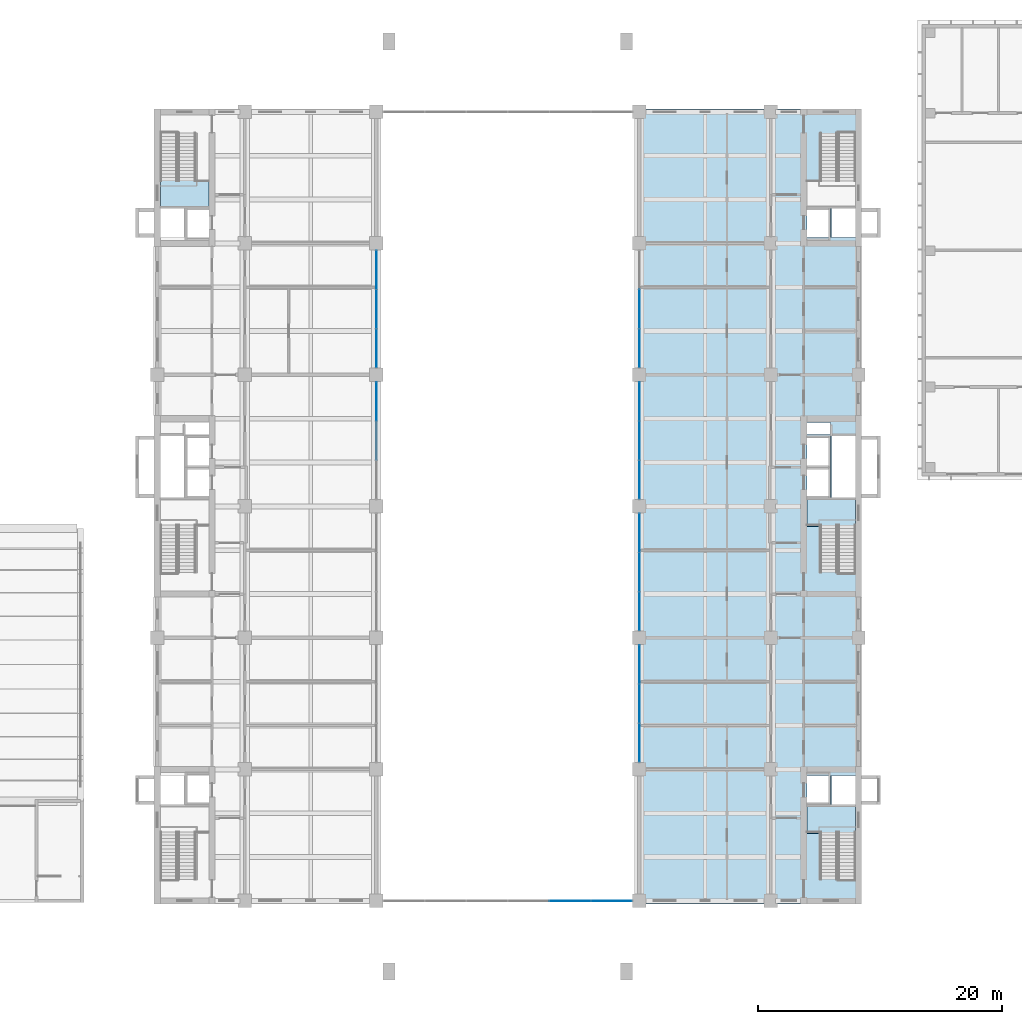
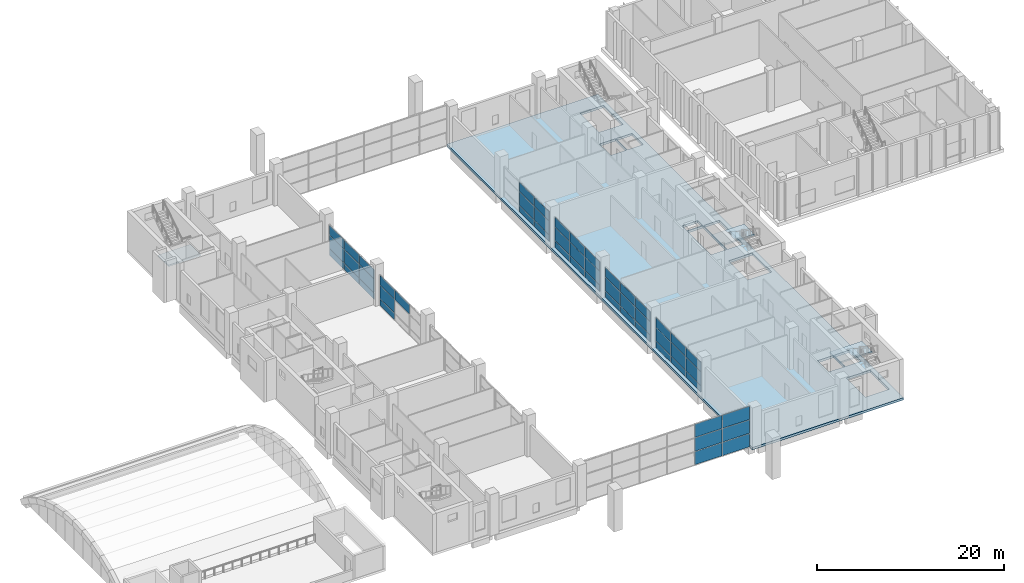
# One storey, part 14 of 32: 52 plates, 4 slabs, 10 elements without a shape of their own.
"""IFC4 building model written with IfcOpenShell, lengths in metres."""

from ifc_helpers import new_model, si_unit, direction, frame, origin, origin_2d, place, context, subcontext, project, spatial, polyline, rectangle, outline, extrude, material, layer, layer_set, type_object, element, aggregate, save


model = new_model("IFC4")

# Units and contexts
model_context = context("Model", 3, precision=1e-05, world=origin(), true_north=direction((0.0, 1.0)))
body_context = subcontext(model_context, "Body", "Model", "MODEL_VIEW")
ifc_project = project(units=[si_unit("LENGTHUNIT", "METRE"), si_unit("AREAUNIT", "SQUARE_METRE"), si_unit("VOLUMEUNIT", "CUBIC_METRE"), si_unit("PLANEANGLEUNIT", "RADIAN"), si_unit("MASSUNIT", "GRAM", prefix="KILO")], contexts=[model_context])

# Site, building, storey
site_placement = place(None, origin())
site = spatial("IfcSite", under=ifc_project, at=site_placement, CompositionType="ELEMENT")
building_placement = place(site_placement, origin())
building = spatial("IfcBuilding", under=site, at=building_placement, Name="Basin Gate Institute", CompositionType="ELEMENT")
storey_placement = place(building_placement, frame((0.0, 0.0, 11.39990234375)))
storey = spatial("IfcBuildingStorey", under=building, at=storey_placement, Name="L02", CompositionType="ELEMENT", Elevation=11.39990234375)

# Curtain wall, plates
ifc_material_1 = material(Name="Aluminium and glass curtain wall", Category="aluminium")
ifc_layer_1 = layer(ifc_material_1, 0.14990234375)
ifc_layer_set_1 = layer_set([ifc_layer_1], Name="Atrium curtain wall CW81")
curtain_wall_type_1 = type_object("IfcCurtainWallType", Name="Atrium curtain wall CW81", PredefinedType="NOTDEFINED", material=ifc_layer_set_1)
curtain_wall_1_placement = place(storey_placement, origin())
curtain_wall_1 = element("IfcCurtainWall", 1, at=curtain_wall_1_placement, inside=storey, type_object=curtain_wall_type_1, material=ifc_layer_set_1, Name="Atrium end screen S L02", PredefinedType="NOTDEFINED")
ifc_material_2 = material(Name="Toughened glass", Category="glass")
ifc_layer_2 = layer(ifc_material_2, 0.028076171875)
ifc_layer_set_2 = layer_set([ifc_layer_2], Name="Atrium glass panel PN81")
plate_type_1 = type_object("IfcPlateType", Name="Atrium glass panel PN81", PredefinedType="CURTAIN_PANEL", material=ifc_layer_set_2)
plate_1_placement = place(storey_placement, frame((95.125, 35.10009765625, 0.06005859375), z_axis=(0.0, 0.0, 1.0), x_axis=(1.0, 0.0, 0.0)))
plate_1 = element("IfcPlate", 2, at=plate_1_placement, type_object=plate_type_1, material=ifc_layer_set_2, Name="CW81 panel 5.1", PredefinedType="CURTAIN_PANEL", context=body_context, shape_type="SweptSolid", body=[
    extrude(rectangle(XDim=3.356689453125, YDim=0.028076171875, at=origin_2d()), origin(), (0.0, 0.0, 1.0), 1.7099609375),
])
plate_2_placement = place(storey_placement, frame((95.125, 35.10009765625, 1.830078125), z_axis=(0.0, 0.0, 1.0), x_axis=(1.0, 0.0, 0.0)))
plate_2 = element("IfcPlate", 3, at=plate_2_placement, type_object=plate_type_1, material=ifc_layer_set_2, Name="CW81 panel 5.2", PredefinedType="CURTAIN_PANEL", context=body_context, shape_type="SweptSolid", body=[
    extrude(rectangle(XDim=3.356689453125, YDim=0.028076171875, at=origin_2d()), origin(), (0.0, 0.0, 1.0), 1.739990234375),
])
plate_3_placement = place(storey_placement, frame((95.125, 35.10009765625, 3.630126953125), z_axis=(0.0, 0.0, 1.0), x_axis=(1.0, 0.0, 0.0)))
plate_3 = element("IfcPlate", 4, at=plate_3_placement, type_object=plate_type_1, material=ifc_layer_set_2, Name="CW81 panel 5.3", PredefinedType="CURTAIN_PANEL", context=body_context, shape_type="SweptSolid", body=[
    extrude(rectangle(XDim=3.356689453125, YDim=0.028076171875, at=origin_2d()), origin(), (0.0, 0.0, 1.0), 1.7099609375),
])
plate_4_placement = place(storey_placement, frame((98.526611328125, 35.10009765625, 0.06005859375), z_axis=(0.0, 0.0, 1.0), x_axis=(1.0, 0.0, 0.0)))
plate_4 = element("IfcPlate", 5, at=plate_4_placement, type_object=plate_type_1, material=ifc_layer_set_2, Name="CW81 panel 6.1", PredefinedType="CURTAIN_PANEL", context=body_context, shape_type="SweptSolid", body=[
    extrude(rectangle(XDim=3.32666015625, YDim=0.028076171875, at=origin_2d()), origin(), (0.0, 0.0, 1.0), 1.7099609375),
])
plate_5_placement = place(storey_placement, frame((98.526611328125, 35.10009765625, 1.830078125), z_axis=(0.0, 0.0, 1.0), x_axis=(1.0, 0.0, 0.0)))
plate_5 = element("IfcPlate", 6, at=plate_5_placement, type_object=plate_type_1, material=ifc_layer_set_2, Name="CW81 panel 6.2", PredefinedType="CURTAIN_PANEL", context=body_context, shape_type="SweptSolid", body=[
    extrude(rectangle(XDim=3.32666015625, YDim=0.028076171875, at=origin_2d()), origin(), (0.0, 0.0, 1.0), 1.739990234375),
])
plate_6_placement = place(storey_placement, frame((98.526611328125, 35.10009765625, 3.630126953125), z_axis=(0.0, 0.0, 1.0), x_axis=(1.0, 0.0, 0.0)))
plate_6 = element("IfcPlate", 7, at=plate_6_placement, type_object=plate_type_1, material=ifc_layer_set_2, Name="CW81 panel 6.3", PredefinedType="CURTAIN_PANEL", context=body_context, shape_type="SweptSolid", body=[
    extrude(rectangle(XDim=3.32666015625, YDim=0.028076171875, at=origin_2d()), origin(), (0.0, 0.0, 1.0), 1.7099609375),
])
aggregate(curtain_wall_1, [plate_1, plate_2, plate_3, plate_4, plate_5, plate_6])

# Slab
ifc_material_3 = material(Name="Concrete 40 MPa", Category="concrete")
ifc_layer_3 = layer(ifc_material_3, 0.300048828125)
ifc_layer_set_3 = layer_set([ifc_layer_3], Name="Concrete 40 MPa")
slab_type_1 = type_object("IfcSlabType", Name="Slab SL3 R180", PredefinedType="FLOOR", material=ifc_layer_set_3)
slab_1_placement = place(storey_placement, frame((0.0, 0.0, -0.2998046875)))
element("IfcSlab", 8, at=slab_1_placement, inside=storey, type_object=slab_type_1, material=ifc_layer_set_3, Name="SLAB/L02/E", PredefinedType="FLOOR", context=body_context, shape_type="SweptSolid", body=[
    extrude(outline(polyline([(119.050048828125, 100.14990234375), (100.39990234375, 100.14990234375), (100.39990234375, 34.85009765625), (119.050048828125, 34.85009765625), (119.050048828125, 100.14990234375)]), holes=[polyline([(118.550048828125, 41.070068359375), (115.60009765625, 41.070068359375), (115.60009765625, 36.969970703125), (118.550048828125, 36.969970703125), (118.550048828125, 41.070068359375)]), polyline([(118.550048828125, 66.27001953125), (115.60009765625, 66.27001953125), (115.60009765625, 62.169921875), (118.550048828125, 62.169921875), (118.550048828125, 66.27001953125)]), polyline([(118.550048828125, 98.030029296875), (115.60009765625, 98.030029296875), (115.60009765625, 93.929931640625), (118.550048828125, 93.929931640625), (118.550048828125, 98.030029296875)]), polyline([(118.550048828125, 45.39990234375), (116.60009765625, 45.39990234375), (116.60009765625, 43.0), (118.550048828125, 43.0), (118.550048828125, 45.39990234375)]), polyline([(118.550048828125, 73.300048828125), (116.60009765625, 73.300048828125), (116.60009765625, 68.199951171875), (118.550048828125, 68.199951171875), (118.550048828125, 73.300048828125)]), polyline([(116.5, 74.39990234375), (114.550048828125, 74.39990234375), (114.550048828125, 73.39990234375), (116.5, 73.39990234375), (116.5, 74.39990234375)]), polyline([(118.550048828125, 92.0), (116.60009765625, 92.0), (116.60009765625, 89.60009765625), (118.550048828125, 89.60009765625), (118.550048828125, 92.0)]), polyline([(116.5, 45.39990234375), (114.550048828125, 45.39990234375), (114.550048828125, 43.0), (116.5, 43.0), (116.5, 45.39990234375)]), polyline([(116.5, 68.199951171875), (114.550048828125, 68.199951171875), (114.550048828125, 73.300048828125), (116.5, 73.300048828125), (116.5, 68.199951171875)]), polyline([(116.5, 92.0), (114.550048828125, 92.0), (114.550048828125, 89.60009765625), (116.5, 89.60009765625), (116.5, 92.0)])]), origin(), (0.0, 0.0, 1.0), 0.2998046875),
])

# Curtain wall, plates
ifc_material_4 = material(Name="Fire-resistant glazing in steel-free frame", Category="steel")
ifc_layer_4 = layer(ifc_material_4, 0.199951171875)
ifc_layer_set_4 = layer_set([ifc_layer_4], Name="Fire-resistant glazing in steel-free frame")
curtain_wall_type_2 = type_object("IfcCurtainWallType", Name="Atrium rated curtain wall CW3", PredefinedType="NOTDEFINED", material=ifc_layer_set_4)
curtain_wall_2_placement = place(storey_placement, origin())
curtain_wall_2 = element("IfcCurtainWall", 9, at=curtain_wall_2_placement, inside=storey, type_object=curtain_wall_type_2, material=ifc_layer_set_4, Name="Atrium rated curtain wall W wing atrium bay 4 L02", PredefinedType="NOTDEFINED")
ifc_material_5 = material(Name="Fire-resisting board panel")
ifc_layer_5 = layer(ifc_material_5, 0.050048828125)
ifc_layer_set_5 = layer_set([ifc_layer_5], Name="Spandrel panel PN4")
plate_type_2 = type_object("IfcPlateType", Name="Spandrel panel PN4", PredefinedType="CURTAIN_PANEL", material=ifc_layer_set_5)
plate_7_placement = place(storey_placement, frame((79.199951171875, 72.89990234375, 2.730224609375), z_axis=(0.0, 0.0, 1.0), x_axis=(0.0, 1.0, 0.0)))
plate_7 = element("IfcPlate", 10, at=plate_7_placement, type_object=plate_type_2, material=ifc_layer_set_5, Name="CW3 spandrel panel 2.3", PredefinedType="CURTAIN_PANEL", context=body_context, shape_type="SweptSolid", body=[
    extrude(rectangle(XDim=3.17333984375, YDim=0.050048828125, at=origin_2d()), origin(), (0.0, 0.0, 1.0), 1.2099609375),
])
plate_8_placement = place(storey_placement, frame((79.199951171875, 76.118408203125, 0.06005859375), z_axis=(0.0, 0.0, 1.0), x_axis=(0.0, 1.0, 0.0)))
plate_8 = element("IfcPlate", 11, at=plate_8_placement, type_object=plate_type_2, material=ifc_layer_set_5, Name="CW3 spandrel panel 3.1", PredefinedType="CURTAIN_PANEL", context=body_context, shape_type="SweptSolid", body=[
    extrude(rectangle(XDim=3.143310546875, YDim=0.050048828125, at=origin_2d()), origin(), (0.0, 0.0, 1.0), 0.81005859375),
])
plate_9_placement = place(storey_placement, frame((79.199951171875, 76.118408203125, 2.730224609375), z_axis=(0.0, 0.0, 1.0), x_axis=(0.0, 1.0, 0.0)))
plate_9 = element("IfcPlate", 12, at=plate_9_placement, type_object=plate_type_2, material=ifc_layer_set_5, Name="CW3 spandrel panel 3.3", PredefinedType="CURTAIN_PANEL", context=body_context, shape_type="SweptSolid", body=[
    extrude(rectangle(XDim=3.143310546875, YDim=0.050048828125, at=origin_2d()), origin(), (0.0, 0.0, 1.0), 1.2099609375),
])

curtain_wall_3_placement = place(storey_placement, origin())
curtain_wall_3 = element("IfcCurtainWall", 13, at=curtain_wall_3_placement, inside=storey, type_object=curtain_wall_type_2, material=ifc_layer_set_4, Name="Atrium rated curtain wall W wing atrium bay 5 L02", PredefinedType="NOTDEFINED")
plate_10_placement = place(storey_placement, frame((79.199951171875, 80.481689453125, 0.06005859375), z_axis=(0.0, 0.0, 1.0), x_axis=(0.0, 1.0, 0.0)))
plate_10 = element("IfcPlate", 14, at=plate_10_placement, type_object=plate_type_2, material=ifc_layer_set_5, Name="CW3 spandrel panel 1.1", PredefinedType="CURTAIN_PANEL", context=body_context, shape_type="SweptSolid", body=[
    extrude(rectangle(XDim=3.143310546875, YDim=0.050048828125, at=origin_2d()), origin(), (0.0, 0.0, 1.0), 0.81005859375),
])
plate_11_placement = place(storey_placement, frame((79.199951171875, 80.481689453125, 2.730224609375), z_axis=(0.0, 0.0, 1.0), x_axis=(0.0, 1.0, 0.0)))
plate_11 = element("IfcPlate", 15, at=plate_11_placement, type_object=plate_type_2, material=ifc_layer_set_5, Name="CW3 spandrel panel 1.3", PredefinedType="CURTAIN_PANEL", context=body_context, shape_type="SweptSolid", body=[
    extrude(rectangle(XDim=3.143310546875, YDim=0.050048828125, at=origin_2d()), origin(), (0.0, 0.0, 1.0), 1.2099609375),
])
plate_12_placement = place(storey_placement, frame((79.199951171875, 83.699951171875, 0.06005859375), z_axis=(0.0, 0.0, 1.0), x_axis=(0.0, 1.0, 0.0)))
plate_12 = element("IfcPlate", 16, at=plate_12_placement, type_object=plate_type_2, material=ifc_layer_set_5, Name="CW3 spandrel panel 2.1", PredefinedType="CURTAIN_PANEL", context=body_context, shape_type="SweptSolid", body=[
    extrude(rectangle(XDim=3.17333984375, YDim=0.050048828125, at=origin_2d()), origin(), (0.0, 0.0, 1.0), 0.81005859375),
])
plate_13_placement = place(storey_placement, frame((79.199951171875, 83.699951171875, 2.730224609375), z_axis=(0.0, 0.0, 1.0), x_axis=(0.0, 1.0, 0.0)))
plate_13 = element("IfcPlate", 17, at=plate_13_placement, type_object=plate_type_2, material=ifc_layer_set_5, Name="CW3 spandrel panel 2.3", PredefinedType="CURTAIN_PANEL", context=body_context, shape_type="SweptSolid", body=[
    extrude(rectangle(XDim=3.17333984375, YDim=0.050048828125, at=origin_2d()), origin(), (0.0, 0.0, 1.0), 1.2099609375),
])
plate_14_placement = place(storey_placement, frame((79.199951171875, 86.918212890625, 0.06005859375), z_axis=(0.0, 0.0, 1.0), x_axis=(0.0, 1.0, 0.0)))
plate_14 = element("IfcPlate", 18, at=plate_14_placement, type_object=plate_type_2, material=ifc_layer_set_5, Name="CW3 spandrel panel 3.1", PredefinedType="CURTAIN_PANEL", context=body_context, shape_type="SweptSolid", body=[
    extrude(rectangle(XDim=3.143310546875, YDim=0.050048828125, at=origin_2d()), origin(), (0.0, 0.0, 1.0), 0.81005859375),
])
plate_15_placement = place(storey_placement, frame((79.199951171875, 86.918212890625, 2.730224609375), z_axis=(0.0, 0.0, 1.0), x_axis=(0.0, 1.0, 0.0)))
plate_15 = element("IfcPlate", 19, at=plate_15_placement, type_object=plate_type_2, material=ifc_layer_set_5, Name="CW3 spandrel panel 3.3", PredefinedType="CURTAIN_PANEL", context=body_context, shape_type="SweptSolid", body=[
    extrude(rectangle(XDim=3.143310546875, YDim=0.050048828125, at=origin_2d()), origin(), (0.0, 0.0, 1.0), 1.2099609375),
])

curtain_wall_4_placement = place(storey_placement, origin())
curtain_wall_4 = element("IfcCurtainWall", 20, at=curtain_wall_4_placement, inside=storey, type_object=curtain_wall_type_2, material=ifc_layer_set_4, Name="Atrium rated curtain wall E wing atrium bay 2 L02", PredefinedType="NOTDEFINED")
plate_16_placement = place(storey_placement, frame((100.800048828125, 48.081787109375, 0.06005859375), z_axis=(0.0, 0.0, 1.0), x_axis=(0.0, 1.0, 0.0)))
plate_16 = element("IfcPlate", 21, at=plate_16_placement, type_object=plate_type_2, material=ifc_layer_set_5, Name="CW3 spandrel panel 1.1", PredefinedType="CURTAIN_PANEL", context=body_context, shape_type="SweptSolid", body=[
    extrude(rectangle(XDim=3.143310546875, YDim=0.050048828125, at=origin_2d()), origin(), (0.0, 0.0, 1.0), 0.81005859375),
])
plate_17_placement = place(storey_placement, frame((100.800048828125, 48.081787109375, 2.730224609375), z_axis=(0.0, 0.0, 1.0), x_axis=(0.0, 1.0, 0.0)))
plate_17 = element("IfcPlate", 22, at=plate_17_placement, type_object=plate_type_2, material=ifc_layer_set_5, Name="CW3 spandrel panel 1.3", PredefinedType="CURTAIN_PANEL", context=body_context, shape_type="SweptSolid", body=[
    extrude(rectangle(XDim=3.143310546875, YDim=0.050048828125, at=origin_2d()), origin(), (0.0, 0.0, 1.0), 1.2099609375),
])
plate_18_placement = place(storey_placement, frame((100.800048828125, 51.300048828125, 0.06005859375), z_axis=(0.0, 0.0, 1.0), x_axis=(0.0, 1.0, 0.0)))
plate_18 = element("IfcPlate", 23, at=plate_18_placement, type_object=plate_type_2, material=ifc_layer_set_5, Name="CW3 spandrel panel 2.1", PredefinedType="CURTAIN_PANEL", context=body_context, shape_type="SweptSolid", body=[
    extrude(rectangle(XDim=3.17333984375, YDim=0.050048828125, at=origin_2d()), origin(), (0.0, 0.0, 1.0), 0.81005859375),
])
plate_19_placement = place(storey_placement, frame((100.800048828125, 51.300048828125, 2.730224609375), z_axis=(0.0, 0.0, 1.0), x_axis=(0.0, 1.0, 0.0)))
plate_19 = element("IfcPlate", 24, at=plate_19_placement, type_object=plate_type_2, material=ifc_layer_set_5, Name="CW3 spandrel panel 2.3", PredefinedType="CURTAIN_PANEL", context=body_context, shape_type="SweptSolid", body=[
    extrude(rectangle(XDim=3.17333984375, YDim=0.050048828125, at=origin_2d()), origin(), (0.0, 0.0, 1.0), 1.2099609375),
])
plate_20_placement = place(storey_placement, frame((100.800048828125, 54.518310546875, 0.06005859375), z_axis=(0.0, 0.0, 1.0), x_axis=(0.0, 1.0, 0.0)))
plate_20 = element("IfcPlate", 25, at=plate_20_placement, type_object=plate_type_2, material=ifc_layer_set_5, Name="CW3 spandrel panel 3.1", PredefinedType="CURTAIN_PANEL", context=body_context, shape_type="SweptSolid", body=[
    extrude(rectangle(XDim=3.143310546875, YDim=0.050048828125, at=origin_2d()), origin(), (0.0, 0.0, 1.0), 0.81005859375),
])
plate_21_placement = place(storey_placement, frame((100.800048828125, 54.518310546875, 2.730224609375), z_axis=(0.0, 0.0, 1.0), x_axis=(0.0, 1.0, 0.0)))
plate_21 = element("IfcPlate", 26, at=plate_21_placement, type_object=plate_type_2, material=ifc_layer_set_5, Name="CW3 spandrel panel 3.3", PredefinedType="CURTAIN_PANEL", context=body_context, shape_type="SweptSolid", body=[
    extrude(rectangle(XDim=3.143310546875, YDim=0.050048828125, at=origin_2d()), origin(), (0.0, 0.0, 1.0), 1.2099609375),
])

curtain_wall_5_placement = place(storey_placement, origin())
curtain_wall_5 = element("IfcCurtainWall", 27, at=curtain_wall_5_placement, inside=storey, type_object=curtain_wall_type_2, material=ifc_layer_set_4, Name="Atrium rated curtain wall E wing atrium bay 3 L02", PredefinedType="NOTDEFINED")
plate_22_placement = place(storey_placement, frame((100.800048828125, 58.881591796875, 0.06005859375), z_axis=(0.0, 0.0, 1.0), x_axis=(0.0, 1.0, 0.0)))
plate_22 = element("IfcPlate", 28, at=plate_22_placement, type_object=plate_type_2, material=ifc_layer_set_5, Name="CW3 spandrel panel 1.1", PredefinedType="CURTAIN_PANEL", context=body_context, shape_type="SweptSolid", body=[
    extrude(rectangle(XDim=3.143310546875, YDim=0.050048828125, at=origin_2d()), origin(), (0.0, 0.0, 1.0), 0.81005859375),
])
plate_23_placement = place(storey_placement, frame((100.800048828125, 58.881591796875, 2.730224609375), z_axis=(0.0, 0.0, 1.0), x_axis=(0.0, 1.0, 0.0)))
plate_23 = element("IfcPlate", 29, at=plate_23_placement, type_object=plate_type_2, material=ifc_layer_set_5, Name="CW3 spandrel panel 1.3", PredefinedType="CURTAIN_PANEL", context=body_context, shape_type="SweptSolid", body=[
    extrude(rectangle(XDim=3.143310546875, YDim=0.050048828125, at=origin_2d()), origin(), (0.0, 0.0, 1.0), 1.2099609375),
])
plate_24_placement = place(storey_placement, frame((100.800048828125, 62.10009765625, 0.06005859375), z_axis=(0.0, 0.0, 1.0), x_axis=(0.0, 1.0, 0.0)))
plate_24 = element("IfcPlate", 30, at=plate_24_placement, type_object=plate_type_2, material=ifc_layer_set_5, Name="CW3 spandrel panel 2.1", PredefinedType="CURTAIN_PANEL", context=body_context, shape_type="SweptSolid", body=[
    extrude(rectangle(XDim=3.17333984375, YDim=0.050048828125, at=origin_2d()), origin(), (0.0, 0.0, 1.0), 0.81005859375),
])
plate_25_placement = place(storey_placement, frame((100.800048828125, 62.10009765625, 2.730224609375), z_axis=(0.0, 0.0, 1.0), x_axis=(0.0, 1.0, 0.0)))
plate_25 = element("IfcPlate", 31, at=plate_25_placement, type_object=plate_type_2, material=ifc_layer_set_5, Name="CW3 spandrel panel 2.3", PredefinedType="CURTAIN_PANEL", context=body_context, shape_type="SweptSolid", body=[
    extrude(rectangle(XDim=3.17333984375, YDim=0.050048828125, at=origin_2d()), origin(), (0.0, 0.0, 1.0), 1.2099609375),
])
plate_26_placement = place(storey_placement, frame((100.800048828125, 65.318359375, 0.06005859375), z_axis=(0.0, 0.0, 1.0), x_axis=(0.0, 1.0, 0.0)))
plate_26 = element("IfcPlate", 32, at=plate_26_placement, type_object=plate_type_2, material=ifc_layer_set_5, Name="CW3 spandrel panel 3.1", PredefinedType="CURTAIN_PANEL", context=body_context, shape_type="SweptSolid", body=[
    extrude(rectangle(XDim=3.143310546875, YDim=0.050048828125, at=origin_2d()), origin(), (0.0, 0.0, 1.0), 0.81005859375),
])
plate_27_placement = place(storey_placement, frame((100.800048828125, 65.318359375, 2.730224609375), z_axis=(0.0, 0.0, 1.0), x_axis=(0.0, 1.0, 0.0)))
plate_27 = element("IfcPlate", 33, at=plate_27_placement, type_object=plate_type_2, material=ifc_layer_set_5, Name="CW3 spandrel panel 3.3", PredefinedType="CURTAIN_PANEL", context=body_context, shape_type="SweptSolid", body=[
    extrude(rectangle(XDim=3.143310546875, YDim=0.050048828125, at=origin_2d()), origin(), (0.0, 0.0, 1.0), 1.2099609375),
])

curtain_wall_6_placement = place(storey_placement, origin())
curtain_wall_6 = element("IfcCurtainWall", 34, at=curtain_wall_6_placement, inside=storey, type_object=curtain_wall_type_2, material=ifc_layer_set_4, Name="Atrium rated curtain wall E wing atrium bay 4 L02", PredefinedType="NOTDEFINED")
plate_28_placement = place(storey_placement, frame((100.800048828125, 69.681640625, 0.06005859375), z_axis=(0.0, 0.0, 1.0), x_axis=(0.0, 1.0, 0.0)))
plate_28 = element("IfcPlate", 35, at=plate_28_placement, type_object=plate_type_2, material=ifc_layer_set_5, Name="CW3 spandrel panel 1.1", PredefinedType="CURTAIN_PANEL", context=body_context, shape_type="SweptSolid", body=[
    extrude(rectangle(XDim=3.143310546875, YDim=0.050048828125, at=origin_2d()), origin(), (0.0, 0.0, 1.0), 0.81005859375),
])
plate_29_placement = place(storey_placement, frame((100.800048828125, 69.681640625, 2.730224609375), z_axis=(0.0, 0.0, 1.0), x_axis=(0.0, 1.0, 0.0)))
plate_29 = element("IfcPlate", 36, at=plate_29_placement, type_object=plate_type_2, material=ifc_layer_set_5, Name="CW3 spandrel panel 1.3", PredefinedType="CURTAIN_PANEL", context=body_context, shape_type="SweptSolid", body=[
    extrude(rectangle(XDim=3.143310546875, YDim=0.050048828125, at=origin_2d()), origin(), (0.0, 0.0, 1.0), 1.2099609375),
])
plate_30_placement = place(storey_placement, frame((100.800048828125, 72.89990234375, 0.06005859375), z_axis=(0.0, 0.0, 1.0), x_axis=(0.0, 1.0, 0.0)))
plate_30 = element("IfcPlate", 37, at=plate_30_placement, type_object=plate_type_2, material=ifc_layer_set_5, Name="CW3 spandrel panel 2.1", PredefinedType="CURTAIN_PANEL", context=body_context, shape_type="SweptSolid", body=[
    extrude(rectangle(XDim=3.17333984375, YDim=0.050048828125, at=origin_2d()), origin(), (0.0, 0.0, 1.0), 0.81005859375),
])
plate_31_placement = place(storey_placement, frame((100.800048828125, 72.89990234375, 2.730224609375), z_axis=(0.0, 0.0, 1.0), x_axis=(0.0, 1.0, 0.0)))
plate_31 = element("IfcPlate", 38, at=plate_31_placement, type_object=plate_type_2, material=ifc_layer_set_5, Name="CW3 spandrel panel 2.3", PredefinedType="CURTAIN_PANEL", context=body_context, shape_type="SweptSolid", body=[
    extrude(rectangle(XDim=3.17333984375, YDim=0.050048828125, at=origin_2d()), origin(), (0.0, 0.0, 1.0), 1.2099609375),
])
plate_32_placement = place(storey_placement, frame((100.800048828125, 76.118408203125, 0.06005859375), z_axis=(0.0, 0.0, 1.0), x_axis=(0.0, 1.0, 0.0)))
plate_32 = element("IfcPlate", 39, at=plate_32_placement, type_object=plate_type_2, material=ifc_layer_set_5, Name="CW3 spandrel panel 3.1", PredefinedType="CURTAIN_PANEL", context=body_context, shape_type="SweptSolid", body=[
    extrude(rectangle(XDim=3.143310546875, YDim=0.050048828125, at=origin_2d()), origin(), (0.0, 0.0, 1.0), 0.81005859375),
])
plate_33_placement = place(storey_placement, frame((100.800048828125, 76.118408203125, 2.730224609375), z_axis=(0.0, 0.0, 1.0), x_axis=(0.0, 1.0, 0.0)))
plate_33 = element("IfcPlate", 40, at=plate_33_placement, type_object=plate_type_2, material=ifc_layer_set_5, Name="CW3 spandrel panel 3.3", PredefinedType="CURTAIN_PANEL", context=body_context, shape_type="SweptSolid", body=[
    extrude(rectangle(XDim=3.143310546875, YDim=0.050048828125, at=origin_2d()), origin(), (0.0, 0.0, 1.0), 1.2099609375),
])

curtain_wall_7_placement = place(storey_placement, origin())
curtain_wall_7 = element("IfcCurtainWall", 41, at=curtain_wall_7_placement, inside=storey, type_object=curtain_wall_type_2, material=ifc_layer_set_4, Name="Atrium rated curtain wall E wing atrium bay 5 L02", PredefinedType="NOTDEFINED")
plate_34_placement = place(storey_placement, frame((100.800048828125, 80.481689453125, 0.06005859375), z_axis=(0.0, 0.0, 1.0), x_axis=(0.0, 1.0, 0.0)))
plate_34 = element("IfcPlate", 42, at=plate_34_placement, type_object=plate_type_2, material=ifc_layer_set_5, Name="CW3 spandrel panel 1.1", PredefinedType="CURTAIN_PANEL", context=body_context, shape_type="SweptSolid", body=[
    extrude(rectangle(XDim=3.143310546875, YDim=0.050048828125, at=origin_2d()), origin(), (0.0, 0.0, 1.0), 0.81005859375),
])
plate_35_placement = place(storey_placement, frame((100.800048828125, 80.481689453125, 2.730224609375), z_axis=(0.0, 0.0, 1.0), x_axis=(0.0, 1.0, 0.0)))
plate_35 = element("IfcPlate", 43, at=plate_35_placement, type_object=plate_type_2, material=ifc_layer_set_5, Name="CW3 spandrel panel 1.3", PredefinedType="CURTAIN_PANEL", context=body_context, shape_type="SweptSolid", body=[
    extrude(rectangle(XDim=3.143310546875, YDim=0.050048828125, at=origin_2d()), origin(), (0.0, 0.0, 1.0), 1.2099609375),
])
plate_36_placement = place(storey_placement, frame((100.800048828125, 83.699951171875, 0.06005859375), z_axis=(0.0, 0.0, 1.0), x_axis=(0.0, 1.0, 0.0)))
plate_36 = element("IfcPlate", 44, at=plate_36_placement, type_object=plate_type_2, material=ifc_layer_set_5, Name="CW3 spandrel panel 2.1", PredefinedType="CURTAIN_PANEL", context=body_context, shape_type="SweptSolid", body=[
    extrude(rectangle(XDim=3.17333984375, YDim=0.050048828125, at=origin_2d()), origin(), (0.0, 0.0, 1.0), 0.81005859375),
])
plate_37_placement = place(storey_placement, frame((100.800048828125, 83.699951171875, 2.730224609375), z_axis=(0.0, 0.0, 1.0), x_axis=(0.0, 1.0, 0.0)))
plate_37 = element("IfcPlate", 45, at=plate_37_placement, type_object=plate_type_2, material=ifc_layer_set_5, Name="CW3 spandrel panel 2.3", PredefinedType="CURTAIN_PANEL", context=body_context, shape_type="SweptSolid", body=[
    extrude(rectangle(XDim=3.17333984375, YDim=0.050048828125, at=origin_2d()), origin(), (0.0, 0.0, 1.0), 1.2099609375),
])

# Stair, slab
ifc_material_6 = material(Name="Concrete 40 MPa", Category="concrete")
stair_type = type_object("IfcStairType", Name="Stair ST", PredefinedType="HALF_TURN_STAIR", material=ifc_material_6)
stair_1_placement = place(storey_placement, origin())
stair_1 = element("IfcStair", 46, at=stair_1_placement, inside=storey, type_object=stair_type, material=ifc_material_6, Name="Special safe stair ST-WN L02", PredefinedType="HALF_TURN_STAIR")
ifc_material_7 = material(Name="Concrete 40 MPa", Category="concrete")
ifc_layer_6 = layer(ifc_material_7, 0.199951171875)
ifc_layer_set_6 = layer_set([ifc_layer_6], Name="Concrete 40 MPa")
slab_type_2 = type_object("IfcSlabType", Name="Stair landing LN REI 180", PredefinedType="LANDING", material=ifc_layer_set_6)
slab_2_placement = place(storey_placement, frame((0.0, 0.0, 2.5)))
slab_2 = element("IfcSlab", 47, at=slab_2_placement, type_object=slab_type_2, material=ifc_layer_set_6, Name="Stair landing ST-WN-L1 L02", PredefinedType="LANDING", context=body_context, shape_type="SweptSolid", body=[
    extrude(outline(polyline([(61.449951171875, 92.14990234375), (65.449951171875, 92.14990234375), (65.449951171875, 94.35009765625), (61.449951171875, 94.35009765625), (61.449951171875, 92.14990234375)])), origin(), (0.0, 0.0, 1.0), 0.2001953125),
])
aggregate(stair_1, [slab_2])

stair_2_placement = place(storey_placement, origin())
stair_2 = element("IfcStair", 48, at=stair_2_placement, inside=storey, type_object=stair_type, material=ifc_material_6, Name="Special safe stair ST-ES L02", PredefinedType="HALF_TURN_STAIR")
slab_3_placement = place(storey_placement, frame((0.0, 0.0, 2.5)))
slab_3 = element("IfcSlab", 49, at=slab_3_placement, type_object=slab_type_2, material=ifc_layer_set_6, Name="Stair landing ST-ES-L1 L02", PredefinedType="LANDING", context=body_context, shape_type="SweptSolid", body=[
    extrude(outline(polyline([(118.550048828125, 42.85009765625), (114.550048828125, 42.85009765625), (114.550048828125, 40.64990234375), (118.550048828125, 40.64990234375), (118.550048828125, 42.85009765625)])), origin(), (0.0, 0.0, 1.0), 0.2001953125),
])
aggregate(stair_2, [slab_3])

stair_3_placement = place(storey_placement, origin())
stair_3 = element("IfcStair", 50, at=stair_3_placement, inside=storey, type_object=stair_type, material=ifc_material_6, Name="Special safe stair ST-EM L02", PredefinedType="HALF_TURN_STAIR")
slab_4_placement = place(storey_placement, frame((0.0, 0.0, 2.5)))
slab_4 = element("IfcSlab", 51, at=slab_4_placement, type_object=slab_type_2, material=ifc_layer_set_6, Name="Stair landing ST-EM-L1 L02", PredefinedType="LANDING", context=body_context, shape_type="SweptSolid", body=[
    extrude(outline(polyline([(118.550048828125, 68.050048828125), (114.550048828125, 68.050048828125), (114.550048828125, 65.85009765625), (118.550048828125, 65.85009765625), (118.550048828125, 68.050048828125)])), origin(), (0.0, 0.0, 1.0), 0.2001953125),
])
aggregate(stair_3, [slab_4])

# Plate
ifc_material_8 = material(Name="Fire-resistant glazing", Category="glass")
ifc_layer_7 = layer(ifc_material_8, 0.0400390625)
ifc_layer_set_7 = layer_set([ifc_layer_7], Name="Vision panel PN3")
plate_type_3 = type_object("IfcPlateType", Name="Vision panel PN3", PredefinedType="CURTAIN_PANEL", material=ifc_layer_set_7)
plate_38_placement = place(storey_placement, frame((79.199951171875, 76.118408203125, 0.93017578125), z_axis=(0.0, 0.0, 1.0), x_axis=(0.0, 1.0, 0.0)))
plate_38 = element("IfcPlate", 52, at=plate_38_placement, type_object=plate_type_3, material=ifc_layer_set_7, Name="CW3 vision panel 3.2", PredefinedType="CURTAIN_PANEL", context=body_context, shape_type="SweptSolid", body=[
    extrude(rectangle(XDim=3.143310546875, YDim=0.0400390625, at=origin_2d()), origin(), (0.0, 0.0, 1.0), 1.739990234375),
])

aggregate(curtain_wall_2, [plate_7, plate_8, plate_38, plate_9])

plate_39_placement = place(storey_placement, frame((79.199951171875, 80.481689453125, 0.93017578125), z_axis=(0.0, 0.0, 1.0), x_axis=(0.0, 1.0, 0.0)))
plate_39 = element("IfcPlate", 53, at=plate_39_placement, type_object=plate_type_3, material=ifc_layer_set_7, Name="CW3 vision panel 1.2", PredefinedType="CURTAIN_PANEL", context=body_context, shape_type="SweptSolid", body=[
    extrude(rectangle(XDim=3.143310546875, YDim=0.0400390625, at=origin_2d()), origin(), (0.0, 0.0, 1.0), 1.739990234375),
])

plate_40_placement = place(storey_placement, frame((79.199951171875, 83.699951171875, 0.93017578125), z_axis=(0.0, 0.0, 1.0), x_axis=(0.0, 1.0, 0.0)))
plate_40 = element("IfcPlate", 54, at=plate_40_placement, type_object=plate_type_3, material=ifc_layer_set_7, Name="CW3 vision panel 2.2", PredefinedType="CURTAIN_PANEL", context=body_context, shape_type="SweptSolid", body=[
    extrude(rectangle(XDim=3.17333984375, YDim=0.0400390625, at=origin_2d()), origin(), (0.0, 0.0, 1.0), 1.739990234375),
])

plate_41_placement = place(storey_placement, frame((79.199951171875, 86.918212890625, 0.93017578125), z_axis=(0.0, 0.0, 1.0), x_axis=(0.0, 1.0, 0.0)))
plate_41 = element("IfcPlate", 55, at=plate_41_placement, type_object=plate_type_3, material=ifc_layer_set_7, Name="CW3 vision panel 3.2", PredefinedType="CURTAIN_PANEL", context=body_context, shape_type="SweptSolid", body=[
    extrude(rectangle(XDim=3.143310546875, YDim=0.0400390625, at=origin_2d()), origin(), (0.0, 0.0, 1.0), 1.739990234375),
])

aggregate(curtain_wall_3, [plate_10, plate_39, plate_11, plate_12, plate_40, plate_13, plate_14, plate_41, plate_15])

plate_42_placement = place(storey_placement, frame((100.800048828125, 48.081787109375, 0.93017578125), z_axis=(0.0, 0.0, 1.0), x_axis=(0.0, 1.0, 0.0)))
plate_42 = element("IfcPlate", 56, at=plate_42_placement, type_object=plate_type_3, material=ifc_layer_set_7, Name="CW3 vision panel 1.2", PredefinedType="CURTAIN_PANEL", context=body_context, shape_type="SweptSolid", body=[
    extrude(rectangle(XDim=3.143310546875, YDim=0.0400390625, at=origin_2d()), origin(), (0.0, 0.0, 1.0), 1.739990234375),
])

plate_43_placement = place(storey_placement, frame((100.800048828125, 51.300048828125, 0.93017578125), z_axis=(0.0, 0.0, 1.0), x_axis=(0.0, 1.0, 0.0)))
plate_43 = element("IfcPlate", 57, at=plate_43_placement, type_object=plate_type_3, material=ifc_layer_set_7, Name="CW3 vision panel 2.2", PredefinedType="CURTAIN_PANEL", context=body_context, shape_type="SweptSolid", body=[
    extrude(rectangle(XDim=3.17333984375, YDim=0.0400390625, at=origin_2d()), origin(), (0.0, 0.0, 1.0), 1.739990234375),
])

plate_44_placement = place(storey_placement, frame((100.800048828125, 54.518310546875, 0.93017578125), z_axis=(0.0, 0.0, 1.0), x_axis=(0.0, 1.0, 0.0)))
plate_44 = element("IfcPlate", 58, at=plate_44_placement, type_object=plate_type_3, material=ifc_layer_set_7, Name="CW3 vision panel 3.2", PredefinedType="CURTAIN_PANEL", context=body_context, shape_type="SweptSolid", body=[
    extrude(rectangle(XDim=3.143310546875, YDim=0.0400390625, at=origin_2d()), origin(), (0.0, 0.0, 1.0), 1.739990234375),
])

aggregate(curtain_wall_4, [plate_16, plate_42, plate_17, plate_18, plate_43, plate_19, plate_20, plate_44, plate_21])

plate_45_placement = place(storey_placement, frame((100.800048828125, 58.881591796875, 0.93017578125), z_axis=(0.0, 0.0, 1.0), x_axis=(0.0, 1.0, 0.0)))
plate_45 = element("IfcPlate", 59, at=plate_45_placement, type_object=plate_type_3, material=ifc_layer_set_7, Name="CW3 vision panel 1.2", PredefinedType="CURTAIN_PANEL", context=body_context, shape_type="SweptSolid", body=[
    extrude(rectangle(XDim=3.143310546875, YDim=0.0400390625, at=origin_2d()), origin(), (0.0, 0.0, 1.0), 1.739990234375),
])

plate_46_placement = place(storey_placement, frame((100.800048828125, 62.10009765625, 0.93017578125), z_axis=(0.0, 0.0, 1.0), x_axis=(0.0, 1.0, 0.0)))
plate_46 = element("IfcPlate", 60, at=plate_46_placement, type_object=plate_type_3, material=ifc_layer_set_7, Name="CW3 vision panel 2.2", PredefinedType="CURTAIN_PANEL", context=body_context, shape_type="SweptSolid", body=[
    extrude(rectangle(XDim=3.17333984375, YDim=0.0400390625, at=origin_2d()), origin(), (0.0, 0.0, 1.0), 1.739990234375),
])

plate_47_placement = place(storey_placement, frame((100.800048828125, 65.318359375, 0.93017578125), z_axis=(0.0, 0.0, 1.0), x_axis=(0.0, 1.0, 0.0)))
plate_47 = element("IfcPlate", 61, at=plate_47_placement, type_object=plate_type_3, material=ifc_layer_set_7, Name="CW3 vision panel 3.2", PredefinedType="CURTAIN_PANEL", context=body_context, shape_type="SweptSolid", body=[
    extrude(rectangle(XDim=3.143310546875, YDim=0.0400390625, at=origin_2d()), origin(), (0.0, 0.0, 1.0), 1.739990234375),
])

aggregate(curtain_wall_5, [plate_22, plate_45, plate_23, plate_24, plate_46, plate_25, plate_26, plate_47, plate_27])

plate_48_placement = place(storey_placement, frame((100.800048828125, 69.681640625, 0.93017578125), z_axis=(0.0, 0.0, 1.0), x_axis=(0.0, 1.0, 0.0)))
plate_48 = element("IfcPlate", 62, at=plate_48_placement, type_object=plate_type_3, material=ifc_layer_set_7, Name="CW3 vision panel 1.2", PredefinedType="CURTAIN_PANEL", context=body_context, shape_type="SweptSolid", body=[
    extrude(rectangle(XDim=3.143310546875, YDim=0.0400390625, at=origin_2d()), origin(), (0.0, 0.0, 1.0), 1.739990234375),
])

plate_49_placement = place(storey_placement, frame((100.800048828125, 72.89990234375, 0.93017578125), z_axis=(0.0, 0.0, 1.0), x_axis=(0.0, 1.0, 0.0)))
plate_49 = element("IfcPlate", 63, at=plate_49_placement, type_object=plate_type_3, material=ifc_layer_set_7, Name="CW3 vision panel 2.2", PredefinedType="CURTAIN_PANEL", context=body_context, shape_type="SweptSolid", body=[
    extrude(rectangle(XDim=3.17333984375, YDim=0.0400390625, at=origin_2d()), origin(), (0.0, 0.0, 1.0), 1.739990234375),
])

plate_50_placement = place(storey_placement, frame((100.800048828125, 76.118408203125, 0.93017578125), z_axis=(0.0, 0.0, 1.0), x_axis=(0.0, 1.0, 0.0)))
plate_50 = element("IfcPlate", 64, at=plate_50_placement, type_object=plate_type_3, material=ifc_layer_set_7, Name="CW3 vision panel 3.2", PredefinedType="CURTAIN_PANEL", context=body_context, shape_type="SweptSolid", body=[
    extrude(rectangle(XDim=3.143310546875, YDim=0.0400390625, at=origin_2d()), origin(), (0.0, 0.0, 1.0), 1.739990234375),
])

aggregate(curtain_wall_6, [plate_28, plate_48, plate_29, plate_30, plate_49, plate_31, plate_32, plate_50, plate_33])

plate_51_placement = place(storey_placement, frame((100.800048828125, 80.481689453125, 0.93017578125), z_axis=(0.0, 0.0, 1.0), x_axis=(0.0, 1.0, 0.0)))
plate_51 = element("IfcPlate", 65, at=plate_51_placement, type_object=plate_type_3, material=ifc_layer_set_7, Name="CW3 vision panel 1.2", PredefinedType="CURTAIN_PANEL", context=body_context, shape_type="SweptSolid", body=[
    extrude(rectangle(XDim=3.143310546875, YDim=0.0400390625, at=origin_2d()), origin(), (0.0, 0.0, 1.0), 1.739990234375),
])

plate_52_placement = place(storey_placement, frame((100.800048828125, 83.699951171875, 0.93017578125), z_axis=(0.0, 0.0, 1.0), x_axis=(0.0, 1.0, 0.0)))
plate_52 = element("IfcPlate", 66, at=plate_52_placement, type_object=plate_type_3, material=ifc_layer_set_7, Name="CW3 vision panel 2.2", PredefinedType="CURTAIN_PANEL", context=body_context, shape_type="SweptSolid", body=[
    extrude(rectangle(XDim=3.17333984375, YDim=0.0400390625, at=origin_2d()), origin(), (0.0, 0.0, 1.0), 1.739990234375),
])

aggregate(curtain_wall_7, [plate_34, plate_51, plate_35, plate_36, plate_52, plate_37])

save(model, "model.ifc")
